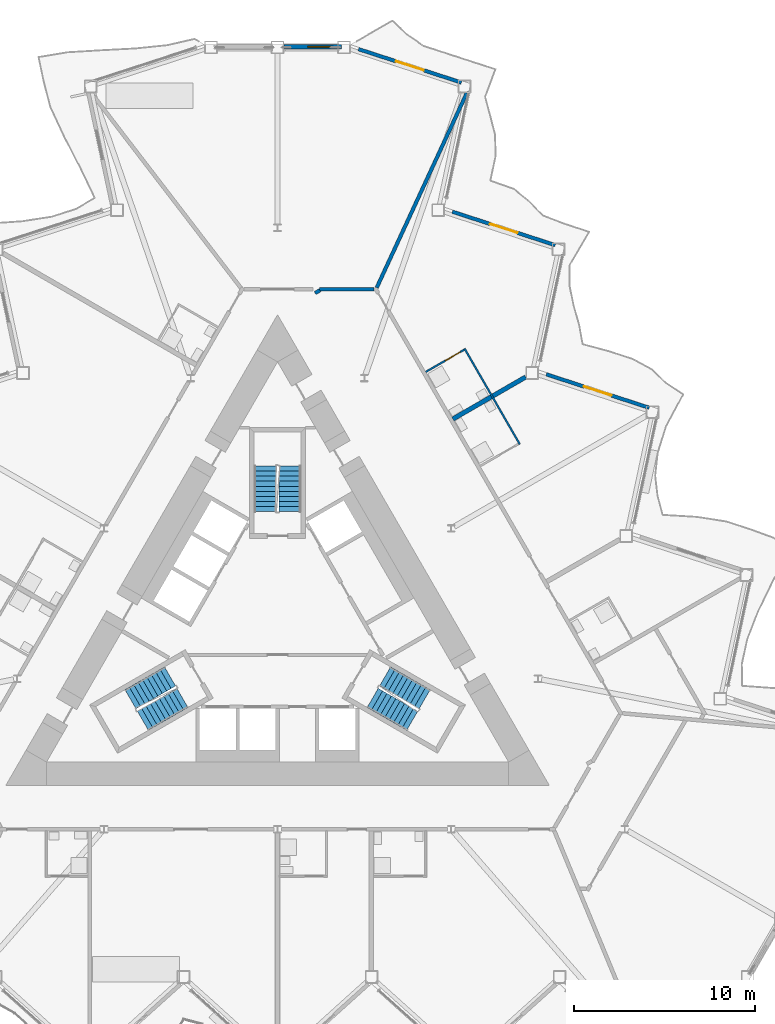
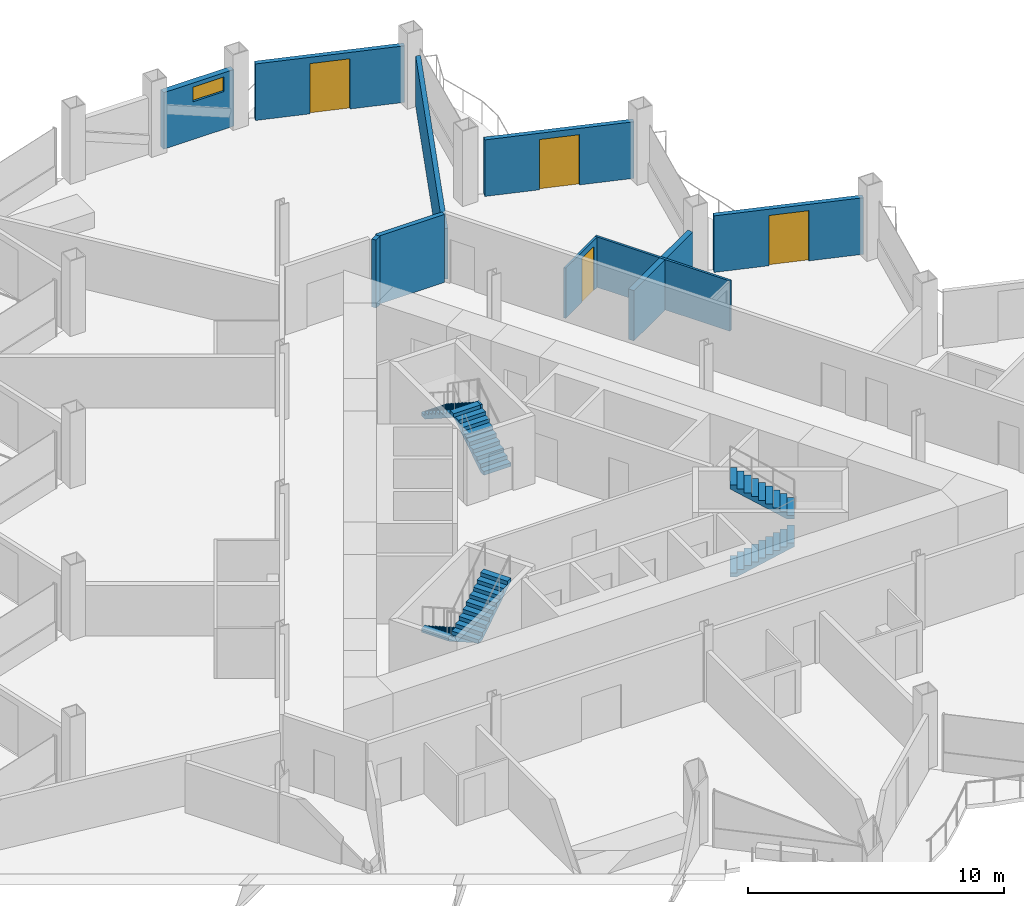
# One storey, part 15 of 23: 10 walls, 6 stair flights, 4 doors, 1 window, 5 openings, 3 elements without a shape of their own.
"""IFC4 building model written with IfcOpenShell, lengths in metres."""

from ifc_helpers import new_model, si_unit, direction, frame, frame_2d, origin, place, context, subcontext, project, spatial, polyline, rectangle, outline, extrude, material, layer, layer_set, type_object, element, fill, aggregate, save


model = new_model("IFC4")

# Units and contexts
model_context = context("Model", 3, precision=1e-05, world=origin(), true_north=direction((0.0, 1.0)))
body_context = subcontext(model_context, "Body", "Model", "MODEL_VIEW")
ifc_project = project(units=[si_unit("LENGTHUNIT", "METRE"), si_unit("AREAUNIT", "SQUARE_METRE"), si_unit("VOLUMEUNIT", "CUBIC_METRE"), si_unit("PLANEANGLEUNIT", "RADIAN"), si_unit("MASSUNIT", "GRAM", prefix="KILO")], contexts=[model_context])

# Site, building, storey
site_placement = place(None, origin())
site = spatial("IfcSite", under=ifc_project, at=site_placement, CompositionType="ELEMENT")
building_placement = place(site_placement, origin())
building = spatial("IfcBuilding", under=site, at=building_placement, Name="Cormorant Prow Tower", CompositionType="ELEMENT")
storey_placement = place(building_placement, frame((0.0, 0.0, 259.800048828125)))
storey = spatial("IfcBuildingStorey", under=building, at=storey_placement, Name="L58", CompositionType="ELEMENT", Elevation=259.800048828125)

# Walls
ifc_material_1 = material(Name="Gypsum board corridor wall")
ifc_layer_1 = layer(ifc_material_1, 0.199951171875)
ifc_layer_set_1 = layer_set([ifc_layer_1], Name="Gypsum board corridor wall")
wall_type_1 = type_object("IfcWallType", Name="Corridor wall 200", PredefinedType="PARTITIONING", material=ifc_layer_set_1)
wall_1_placement = place(storey_placement, frame((2.324951171875, 18.720458984375, 0.0), z_axis=(0.0, 0.0, 1.0), x_axis=(1.0, 0.0, 0.0)))
element("IfcWall", 1, at=wall_1_placement, inside=storey, type_object=wall_type_1, Name="Corridor wall", PredefinedType="PARTITIONING", context=body_context, shape_type="SweptSolid", body=[
    extrude(rectangle(XDim=3.002197265625, YDim=0.199951171875, at=frame_2d((1.5009765625, 0.0))), origin(), (0.0, 0.0, 1.0), 3.25),
])
wall_2_placement = place(storey_placement, frame((2.06982421875, 18.515380859375, 0.0), z_axis=(0.0, 0.0, 1.0), x_axis=(0.866054481515, 0.499949632511, 0.0)))
element("IfcWall", 2, at=wall_2_placement, inside=storey, type_object=wall_type_1, Name="Corridor wall", PredefinedType="PARTITIONING", context=body_context, shape_type="SweptSolid", body=[
    extrude(rectangle(XDim=0.31005859375, YDim=0.199951171875, at=frame_2d((0.155029296875, 0.0))), origin(), (0.0, 0.0, 1.0), 3.25),
])
ifc_material_2 = material(Name="Gypsum board demising wall")
ifc_layer_2 = layer(ifc_material_2, 0.199951171875)
ifc_layer_set_2 = layer_set([ifc_layer_2], Name="Gypsum board demising wall")
wall_type_2 = type_object("IfcWallType", Name="Demising wall 200", PredefinedType="PARTITIONING", material=ifc_layer_set_2)
wall_3_placement = place(storey_placement, frame((5.46923828125, 18.81103515625, 0.0), z_axis=(0.0, 0.0, 1.0), x_axis=(0.419996836618, 0.907525568362, 0.0)))
element("IfcWall", 3, at=wall_3_placement, inside=storey, type_object=wall_type_2, Name="Demising wall", PredefinedType="PARTITIONING", context=body_context, shape_type="SweptSolid", body=[
    extrude(rectangle(XDim=11.83984375, YDim=0.199951171875, at=frame_2d((5.919921875, 0.0))), origin(), (0.0, 0.0, 1.0), 2.404052734375),
])
ifc_material_3 = material(Name="Gypsum board partition")
ifc_layer_3 = layer(ifc_material_3, 0.10009765625)
ifc_layer_set_3 = layer_set([ifc_layer_3], Name="Gypsum board partition")
wall_type_3 = type_object("IfcWallType", Name="Internal partition 100", PredefinedType="PARTITIONING", material=ifc_layer_set_3)
wall_4_placement = place(storey_placement, frame((10.3134765625, 15.45703125, 0.0), z_axis=(0.0, 0.0, 1.0), x_axis=(0.499978833458, -0.866037623948, 0.0)))
element("IfcWall", 4, at=wall_4_placement, inside=storey, type_object=wall_type_3, Name="Internal partition", PredefinedType="PARTITIONING", context=body_context, shape_type="SweptSolid", body=[
    extrude(rectangle(XDim=6.099853515625, YDim=0.10009765625, at=frame_2d((3.0498046875, 0.0))), origin(), (0.0, 0.0, 1.0), 2.404052734375),
])

# Wall, opening, door
wall_5_placement = place(storey_placement, frame((8.17333984375, 14.163818359375, 0.0), z_axis=(0.0, 0.0, 1.0), x_axis=(0.866014668023, 0.500018594424, 0.0)))
wall_5 = element("IfcWall", 5, at=wall_5_placement, inside=storey, type_object=wall_type_3, Name="Internal partition", PredefinedType="PARTITIONING", context=body_context, shape_type="SweptSolid", body=[
    extrude(rectangle(XDim=2.4501953125, YDim=0.10009765625, at=frame_2d((1.22509765625, 0.0))), origin(), (0.0, 0.0, 1.0), 2.404052734375),
])
opening_1_placement = place(wall_5_placement, frame((1.25, 0.0, 0.0)))
opening_1 = element("IfcOpeningElement", 6, at=opening_1_placement, cuts=wall_5, Name="Opening L58-F17", PredefinedType="OPENING", context=body_context, shape_type="SweptSolid", body=[
    extrude(rectangle(XDim=0.949951171875, YDim=2.10009765625, at=frame_2d((0.47509765625, 1.050048828125))), frame((0.0, 0.06005859375, 0.0), z_axis=(0.0, -1.0, 0.0), x_axis=(1.0, 0.0, 0.0)), (0.0, 0.0, 1.0), 0.1201171875),
])
ifc_material_4 = material(Name="Timber door leaf", Category="wood")
door_type_1 = type_object("IfcDoorType", Name="Bathroom door 950x2100", OperationType="NOTDEFINED", PredefinedType="DOOR", material=ifc_material_4)
door_1_placement = place(opening_1_placement, origin())
door_1 = element("IfcDoor", 7, at=door_1_placement, inside=storey, type_object=door_type_1, Name="Executive suite bedroom door", OperationType="SINGLE_SWING_RIGHT", OverallHeight=2.10009765625, OverallWidth=0.949951171875, PredefinedType="DOOR", context=body_context, shape_type="SweptSolid", body=[
    extrude(rectangle(XDim=0.949951171875, YDim=2.10009765625, at=frame_2d((0.47509765625, 1.050048828125))), frame((0.0, 0.02490234375, 0.0), z_axis=(0.0, -1.0, 0.0), x_axis=(1.0, 0.0, 0.0)), (0.0, 0.0, 1.0), 0.050048828125),
])
fill(opening_1, door_1)

# Wall
ifc_material_5 = material(Name="Acoustic gypsum party wall")
ifc_layer_4 = layer(ifc_material_5, 0.25)
ifc_layer_set_4 = layer_set([ifc_layer_4], Name="Acoustic gypsum party wall")
wall_type_4 = type_object("IfcWallType", Name="Suite party wall 250", PredefinedType="PARTITIONING", material=ifc_layer_set_4)
wall_6_placement = place(storey_placement, frame((9.67333984375, 11.565673828125, 0.0), z_axis=(0.0, 0.0, 1.0), x_axis=(0.866039966287, 0.499974776157, 0.0)))
element("IfcWall", 8, at=wall_6_placement, inside=storey, type_object=wall_type_4, Name="Suite party wall", PredefinedType="PARTITIONING", context=body_context, shape_type="SweptSolid", body=[
    extrude(rectangle(XDim=4.634521484375, YDim=0.25, at=frame_2d((2.3173828125, 0.0))), origin(), (0.0, 0.0, 1.0), 2.404052734375),
])

# Wall, opening, window
ifc_material_6 = material(Name="Terracotta", Category="masonry")
ifc_layer_5 = layer(ifc_material_6, 0.25)
ifc_layer_set_5 = layer_set([ifc_layer_5], Name="Terracotta")
wall_type_5 = type_object("IfcWallType", Name="Terracotta bay wall 250", PredefinedType="SOLIDWALL", material=ifc_layer_set_5)
wall_7_placement = place(storey_placement, frame((3.518798828125, 32.099609375, 0.0), z_axis=(0.0, 0.0, 1.0), x_axis=(-1.0, 0.0, 0.0)))
wall_7 = element("IfcWall", 9, at=wall_7_placement, inside=storey, type_object=wall_type_5, Name="Terracotta bay wall N00", PredefinedType="SOLIDWALL", context=body_context, shape_type="SweptSolid", body=[
    extrude(rectangle(XDim=3.168701171875, YDim=0.25, at=frame_2d((1.58447265625, 0.0))), origin(), (0.0, 0.0, 1.0), 2.700927734375),
])
opening_2_placement = place(wall_7_placement, frame((0.449951171875, 0.0, 1.800048828125)))
opening_2 = element("IfcOpeningElement", 10, at=opening_2_placement, cuts=wall_7, Name="Opening WN4", PredefinedType="OPENING", context=body_context, shape_type="SweptSolid", body=[
    extrude(rectangle(XDim=1.39990234375, YDim=0.699951171875, at=frame_2d((0.699951171875, 0.35009765625))), frame((0.0, 0.135009765625, 0.0), z_axis=(0.0, -1.0, 0.0), x_axis=(1.0, 0.0, 0.0)), (0.0, 0.0, 1.0), 0.27001953125),
])
ifc_material_7 = material(Name="Aluminium 6063-T6", Category="aluminium")
window_type = type_object("IfcWindowType", Name="Corner bay window 1400x700", PartitioningType="SINGLE_PANEL", PredefinedType="WINDOW", material=ifc_material_7)
window_placement = place(opening_2_placement, origin())
window = element("IfcWindow", 11, at=window_placement, inside=storey, type_object=window_type, Name="Corner bay window N00", OverallHeight=0.699951171875, OverallWidth=1.39990234375, PartitioningType="SINGLE_PANEL", PredefinedType="WINDOW", context=body_context, shape_type="SweptSolid", body=[
    extrude(rectangle(XDim=1.39990234375, YDim=0.699951171875, at=frame_2d((0.699951171875, 0.35009765625))), frame((0.0, 0.030029296875, 0.0), z_axis=(0.0, -1.0, 0.0), x_axis=(1.0, 0.0, 0.0)), (0.0, 0.0, 1.0), 0.06005859375),
])
fill(opening_2, window)

# Wall, opening, door
ifc_material_8 = material(Name="Terracotta", Category="masonry")
ifc_layer_6 = layer(ifc_material_8, 0.199951171875)
ifc_layer_set_6 = layer_set([ifc_layer_6], Name="Terracotta")
wall_type_6 = type_object("IfcWallType", Name="Terracotta jamb wall 200", PredefinedType="SOLIDWALL", material=ifc_layer_set_6)
wall_8_placement = place(storey_placement, frame((20.5, 12.188232421875, 0.0), z_axis=(0.0, 0.0, 1.0), x_axis=(-0.951053307318, 0.309026870418, 0.0)))
wall_8 = element("IfcWall", 12, at=wall_8_placement, inside=storey, type_object=wall_type_6, Name="Terracotta jamb wall ENE05", PredefinedType="SOLIDWALL", context=body_context, shape_type="SweptSolid", body=[
    extrude(rectangle(XDim=5.9677734375, YDim=0.199951171875, at=frame_2d((2.98388671875, 0.0))), origin(), (0.0, 0.0, 1.0), 2.700927734375),
])
opening_3_placement = place(wall_8_placement, frame((2.183837890625, 0.0, 0.0)))
opening_3 = element("IfcOpeningElement", 13, at=opening_3_placement, cuts=wall_8, Name="Opening ED58.08", PredefinedType="OPENING", context=body_context, shape_type="SweptSolid", body=[
    extrude(rectangle(XDim=1.60009765625, YDim=2.39990234375, at=frame_2d((0.800048828125, 1.199951171875))), frame((0.0, 0.10986328125, 0.0), z_axis=(0.0, -1.0, 0.0), x_axis=(1.0, 0.0, 0.0)), (0.0, 0.0, 1.0), 0.219970703125),
])
ifc_material_9 = material(Name="Aluminium 6063-T6", Category="aluminium")
door_type_2 = type_object("IfcDoorType", Name="Balcony door 1600x2400", OperationType="DOUBLE_DOOR_SINGLE_SWING", PredefinedType="DOOR", material=ifc_material_9)
door_2_placement = place(opening_3_placement, origin())
door_2 = element("IfcDoor", 14, at=door_2_placement, inside=storey, type_object=door_type_2, Name="Balcony door ENE05 ED58.08", OperationType="DOUBLE_DOOR_SINGLE_SWING", OverallHeight=2.39990234375, OverallWidth=1.60009765625, PredefinedType="DOOR", context=body_context, shape_type="SweptSolid", body=[
    extrude(rectangle(XDim=1.60009765625, YDim=2.39990234375, at=frame_2d((0.800048828125, 1.199951171875))), frame((0.0, 0.02490234375, 0.0), z_axis=(0.0, -1.0, 0.0), x_axis=(1.0, 0.0, 0.0)), (0.0, 0.0, 1.0), 0.050048828125),
])
fill(opening_3, door_2)

wall_9_placement = place(storey_placement, frame((15.320556640625, 21.159423828125, 0.0), z_axis=(0.0, 0.0, 1.0), x_axis=(-0.951053307318, 0.309026870418, 0.0)))
wall_9 = element("IfcWall", 15, at=wall_9_placement, inside=storey, type_object=wall_type_6, Name="Terracotta jamb wall ENE07", PredefinedType="SOLIDWALL", context=body_context, shape_type="SweptSolid", body=[
    extrude(rectangle(XDim=5.9677734375, YDim=0.199951171875, at=frame_2d((2.98388671875, 0.0))), origin(), (0.0, 0.0, 1.0), 2.700927734375),
])
opening_4_placement = place(wall_9_placement, frame((2.183837890625, 0.0, 0.0)))
opening_4 = element("IfcOpeningElement", 16, at=opening_4_placement, cuts=wall_9, Name="Opening ED58.09", PredefinedType="OPENING", context=body_context, shape_type="SweptSolid", body=[
    extrude(rectangle(XDim=1.60009765625, YDim=2.39990234375, at=frame_2d((0.800048828125, 1.199951171875))), frame((0.0, 0.10986328125, 0.0), z_axis=(0.0, -1.0, 0.0), x_axis=(1.0, 0.0, 0.0)), (0.0, 0.0, 1.0), 0.219970703125),
])
door_3_placement = place(opening_4_placement, origin())
door_3 = element("IfcDoor", 17, at=door_3_placement, inside=storey, type_object=door_type_2, Name="Balcony door ENE07 ED58.09", OperationType="DOUBLE_DOOR_SINGLE_SWING", OverallHeight=2.39990234375, OverallWidth=1.60009765625, PredefinedType="DOOR", context=body_context, shape_type="SweptSolid", body=[
    extrude(rectangle(XDim=1.60009765625, YDim=2.39990234375, at=frame_2d((0.800048828125, 1.199951171875))), frame((0.0, 0.02490234375, 0.0), z_axis=(0.0, -1.0, 0.0), x_axis=(1.0, 0.0, 0.0)), (0.0, 0.0, 1.0), 0.050048828125),
])
fill(opening_4, door_3)

wall_10_placement = place(storey_placement, frame((10.140869140625, 30.130615234375, 0.0), z_axis=(0.0, 0.0, 1.0), x_axis=(-0.951049400374, 0.309038894069, 0.0)))
wall_10 = element("IfcWall", 18, at=wall_10_placement, inside=storey, type_object=wall_type_6, Name="Terracotta jamb wall ENE09", PredefinedType="SOLIDWALL", context=body_context, shape_type="SweptSolid", body=[
    extrude(rectangle(XDim=5.9677734375, YDim=0.199951171875, at=frame_2d((2.98388671875, 0.0))), origin(), (0.0, 0.0, 1.0), 2.700927734375),
])
opening_5_placement = place(wall_10_placement, frame((2.183837890625, 0.0, 0.0)))
opening_5 = element("IfcOpeningElement", 19, at=opening_5_placement, cuts=wall_10, Name="Opening ED58.10", PredefinedType="OPENING", context=body_context, shape_type="SweptSolid", body=[
    extrude(rectangle(XDim=1.60009765625, YDim=2.39990234375, at=frame_2d((0.800048828125, 1.199951171875))), frame((0.0, 0.10986328125, 0.0), z_axis=(0.0, -1.0, 0.0), x_axis=(1.0, 0.0, 0.0)), (0.0, 0.0, 1.0), 0.219970703125),
])
door_4_placement = place(opening_5_placement, origin())
door_4 = element("IfcDoor", 20, at=door_4_placement, inside=storey, type_object=door_type_2, Name="Balcony door ENE09 ED58.10", OperationType="DOUBLE_DOOR_SINGLE_SWING", OverallHeight=2.39990234375, OverallWidth=1.60009765625, PredefinedType="DOOR", context=body_context, shape_type="SweptSolid", body=[
    extrude(rectangle(XDim=1.60009765625, YDim=2.39990234375, at=frame_2d((0.800048828125, 1.199951171875))), frame((0.0, 0.02490234375, 0.0), z_axis=(0.0, -1.0, 0.0), x_axis=(1.0, 0.0, 0.0)), (0.0, 0.0, 1.0), 0.050048828125),
])
fill(opening_5, door_4)

# Stair, stair flights
ifc_material_10 = material(Name="Exit stair 20 risers")
stair_type = type_object("IfcStairType", Name="Exit stair 20 risers", PredefinedType="HALF_TURN_STAIR", material=ifc_material_10)
stair_1_placement = place(storey_placement, origin())
stair_1 = element("IfcStair", 21, at=stair_1_placement, inside=storey, type_object=stair_type, Name="L58 Exit stair ST1", PredefinedType="HALF_TURN_STAIR")
ifc_material_11 = material(Name="Concrete 5000 psi", Category="concrete")
stair_flight_type = type_object("IfcStairFlightType", Name="Stair flight 1219", PredefinedType="STRAIGHT", material=ifc_material_11)
stair_flight_1_placement = place(storey_placement, frame((-5.93310546875, -2.635009765625, 0.0), z_axis=(0.0, 0.0, 1.0), x_axis=(-0.866025403784, -0.5, 0.0)))
stair_flight_1 = element("IfcStairFlight", 22, at=stair_flight_1_placement, type_object=stair_flight_type, Name="ST1 flight 1", NumberOfRisers=10, NumberOfTreads=9, PredefinedType="STRAIGHT", RiserHeight=0.18, TreadLength=0.28, context=body_context, shape_type="SweptSolid", body=[
    extrude(outline(polyline([(0.0, 0.0), (0.0, 0.179931640625), (0.280029296875, 0.179931640625), (0.280029296875, 0.360107421875), (0.56005859375, 0.360107421875), (0.56005859375, 0.5400390625), (0.840087890625, 0.5400390625), (0.840087890625, 0.719970703125), (1.1201171875, 0.719970703125), (1.1201171875, 0.89990234375), (1.39990234375, 0.89990234375), (1.39990234375, 1.080078125), (1.679931640625, 1.080078125), (1.679931640625, 1.260009765625), (1.9599609375, 1.260009765625), (1.9599609375, 1.43994140625), (2.239990234375, 1.43994140625), (2.239990234375, 1.6201171875), (2.52001953125, 1.6201171875), (2.52001953125, 1.800048828125), (2.52001953125, 1.44189453125), (0.277099609375, 0.0), (0.0, 0.0)])), frame((0.0, 0.609375, 0.0), z_axis=(0.0, -1.0, 0.0), x_axis=(1.0, 0.0, 0.0)), (0.0, 0.0, 1.0), 1.218994140625),
])
stair_flight_2_placement = place(storey_placement, frame((-7.43115234375, -5.080810546875, 1.800048828125), z_axis=(0.0, 0.0, 1.0), x_axis=(0.866025403784, 0.5, 0.0)))
stair_flight_2 = element("IfcStairFlight", 23, at=stair_flight_2_placement, type_object=stair_flight_type, Name="ST1 flight 2", NumberOfRisers=10, NumberOfTreads=9, PredefinedType="STRAIGHT", RiserHeight=0.18, TreadLength=0.28, context=body_context, shape_type="SweptSolid", body=[
    extrude(outline(polyline([(0.0, 0.0), (0.0, 0.179931640625), (0.280029296875, 0.179931640625), (0.280029296875, 0.360107421875), (0.56005859375, 0.360107421875), (0.56005859375, 0.5400390625), (0.840087890625, 0.5400390625), (0.840087890625, 0.719970703125), (1.1201171875, 0.719970703125), (1.1201171875, 0.89990234375), (1.39990234375, 0.89990234375), (1.39990234375, 1.080078125), (1.679931640625, 1.080078125), (1.679931640625, 1.260009765625), (1.9599609375, 1.260009765625), (1.9599609375, 1.43994140625), (2.239990234375, 1.43994140625), (2.239990234375, 1.6201171875), (2.52001953125, 1.6201171875), (2.52001953125, 1.800048828125), (2.52001953125, 1.44189453125), (0.277099609375, 0.0), (0.0, 0.0)])), frame((0.0, 0.609375, 0.0), z_axis=(0.0, -1.0, 0.0), x_axis=(1.0, 0.0, 0.0)), (0.0, 0.0, 1.0), 1.218994140625),
])
aggregate(stair_1, [stair_flight_1, stair_flight_2])

stair_2_placement = place(storey_placement, origin())
stair_2 = element("IfcStair", 24, at=stair_2_placement, inside=storey, type_object=stair_type, Name="L58 Exit stair ST2", PredefinedType="HALF_TURN_STAIR")
stair_flight_3_placement = place(storey_placement, frame((5.24853515625, -3.82080078125, 0.0), z_axis=(0.0, 0.0, 1.0), x_axis=(0.866025403784, -0.5, 0.0)))
stair_flight_3 = element("IfcStairFlight", 25, at=stair_flight_3_placement, type_object=stair_flight_type, Name="ST2 flight 1", NumberOfRisers=10, NumberOfTreads=9, PredefinedType="STRAIGHT", RiserHeight=0.18, TreadLength=0.28, context=body_context, shape_type="SweptSolid", body=[
    extrude(outline(polyline([(0.0, 0.0), (0.0, 0.179931640625), (0.280029296875, 0.179931640625), (0.280029296875, 0.360107421875), (0.56005859375, 0.360107421875), (0.56005859375, 0.5400390625), (0.840087890625, 0.5400390625), (0.840087890625, 0.719970703125), (1.1201171875, 0.719970703125), (1.1201171875, 0.89990234375), (1.39990234375, 0.89990234375), (1.39990234375, 1.080078125), (1.679931640625, 1.080078125), (1.679931640625, 1.260009765625), (1.9599609375, 1.260009765625), (1.9599609375, 1.43994140625), (2.239990234375, 1.43994140625), (2.239990234375, 1.6201171875), (2.52001953125, 1.6201171875), (2.52001953125, 1.800048828125), (2.52001953125, 1.44189453125), (0.277099609375, 0.0), (0.0, 0.0)])), frame((0.0, 0.609375, 0.0), z_axis=(0.0, -1.0, 0.0), x_axis=(1.0, 0.0, 0.0)), (0.0, 0.0, 1.0), 1.218994140625),
])
stair_flight_4_placement = place(storey_placement, frame((8.115478515625, -3.89501953125, 1.800048828125), z_axis=(0.0, 0.0, 1.0), x_axis=(-0.866025403784, 0.5, 0.0)))
stair_flight_4 = element("IfcStairFlight", 26, at=stair_flight_4_placement, type_object=stair_flight_type, Name="ST2 flight 2", NumberOfRisers=10, NumberOfTreads=9, PredefinedType="STRAIGHT", RiserHeight=0.18, TreadLength=0.28, context=body_context, shape_type="SweptSolid", body=[
    extrude(outline(polyline([(0.0, 0.0), (0.0, 0.179931640625), (0.280029296875, 0.179931640625), (0.280029296875, 0.360107421875), (0.56005859375, 0.360107421875), (0.56005859375, 0.5400390625), (0.840087890625, 0.5400390625), (0.840087890625, 0.719970703125), (1.1201171875, 0.719970703125), (1.1201171875, 0.89990234375), (1.39990234375, 0.89990234375), (1.39990234375, 1.080078125), (1.679931640625, 1.080078125), (1.679931640625, 1.260009765625), (1.9599609375, 1.260009765625), (1.9599609375, 1.43994140625), (2.239990234375, 1.43994140625), (2.239990234375, 1.6201171875), (2.52001953125, 1.6201171875), (2.52001953125, 1.800048828125), (2.52001953125, 1.44189453125), (0.277099609375, 0.0), (0.0, 0.0)])), frame((0.0, 0.609375, 0.0), z_axis=(0.0, -1.0, 0.0), x_axis=(1.0, 0.0, 0.0)), (0.0, 0.0, 1.0), 1.218994140625),
])
aggregate(stair_2, [stair_flight_3, stair_flight_4])

stair_3_placement = place(storey_placement, origin())
stair_3 = element("IfcStair", 27, at=stair_3_placement, inside=storey, type_object=stair_type, Name="L58 Exit stair ST3", PredefinedType="HALF_TURN_STAIR")
stair_flight_5_placement = place(storey_placement, frame((0.6845703125, 6.455810546875, 0.0), z_axis=(0.0, 0.0, 1.0), x_axis=(0.0, 1.0, 0.0)))
stair_flight_5 = element("IfcStairFlight", 28, at=stair_flight_5_placement, type_object=stair_flight_type, Name="ST3 flight 1", NumberOfRisers=10, NumberOfTreads=9, PredefinedType="STRAIGHT", RiserHeight=0.18, TreadLength=0.28, context=body_context, shape_type="SweptSolid", body=[
    extrude(outline(polyline([(0.0, 0.0), (0.0, 0.179931640625), (0.280029296875, 0.179931640625), (0.280029296875, 0.360107421875), (0.56005859375, 0.360107421875), (0.56005859375, 0.5400390625), (0.840087890625, 0.5400390625), (0.840087890625, 0.719970703125), (1.1201171875, 0.719970703125), (1.1201171875, 0.89990234375), (1.39990234375, 0.89990234375), (1.39990234375, 1.080078125), (1.679931640625, 1.080078125), (1.679931640625, 1.260009765625), (1.9599609375, 1.260009765625), (1.9599609375, 1.43994140625), (2.239990234375, 1.43994140625), (2.239990234375, 1.6201171875), (2.52001953125, 1.6201171875), (2.52001953125, 1.800048828125), (2.52001953125, 1.44189453125), (0.277099609375, 0.0), (0.0, 0.0)])), frame((0.0, 0.609375, 0.0), z_axis=(0.0, -1.0, 0.0), x_axis=(1.0, 0.0, 0.0)), (0.0, 0.0, 1.0), 1.218994140625),
])
stair_flight_6_placement = place(storey_placement, frame((-0.6845703125, 8.975830078125, 1.800048828125), z_axis=(0.0, 0.0, 1.0), x_axis=(0.0, -1.0, 0.0)))
stair_flight_6 = element("IfcStairFlight", 29, at=stair_flight_6_placement, type_object=stair_flight_type, Name="ST3 flight 2", NumberOfRisers=10, NumberOfTreads=9, PredefinedType="STRAIGHT", RiserHeight=0.18, TreadLength=0.28, context=body_context, shape_type="SweptSolid", body=[
    extrude(outline(polyline([(0.0, 0.0), (0.0, 0.179931640625), (0.280029296875, 0.179931640625), (0.280029296875, 0.360107421875), (0.56005859375, 0.360107421875), (0.56005859375, 0.5400390625), (0.840087890625, 0.5400390625), (0.840087890625, 0.719970703125), (1.1201171875, 0.719970703125), (1.1201171875, 0.89990234375), (1.39990234375, 0.89990234375), (1.39990234375, 1.080078125), (1.679931640625, 1.080078125), (1.679931640625, 1.260009765625), (1.9599609375, 1.260009765625), (1.9599609375, 1.43994140625), (2.239990234375, 1.43994140625), (2.239990234375, 1.6201171875), (2.52001953125, 1.6201171875), (2.52001953125, 1.800048828125), (2.52001953125, 1.44189453125), (0.277099609375, 0.0), (0.0, 0.0)])), frame((0.0, 0.609375, 0.0), z_axis=(0.0, -1.0, 0.0), x_axis=(1.0, 0.0, 0.0)), (0.0, 0.0, 1.0), 1.218994140625),
])
aggregate(stair_3, [stair_flight_5, stair_flight_6])

save(model, "model.ifc")
